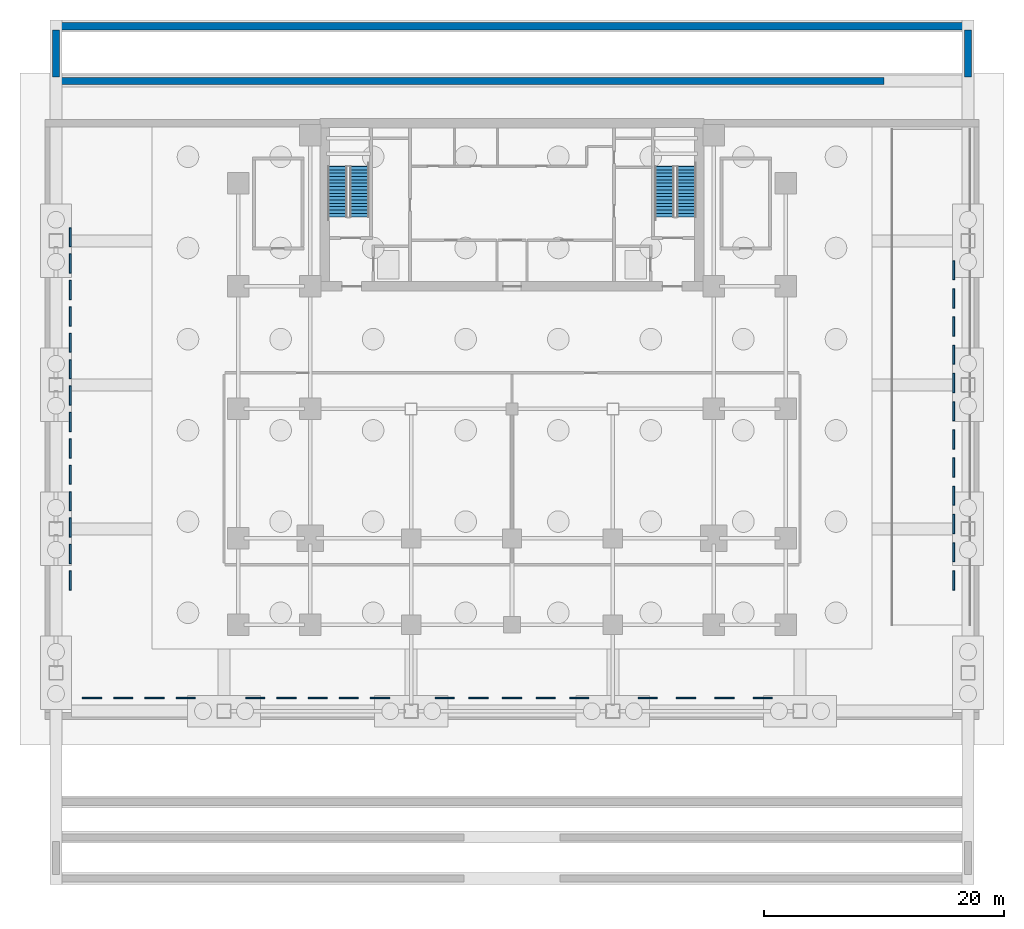
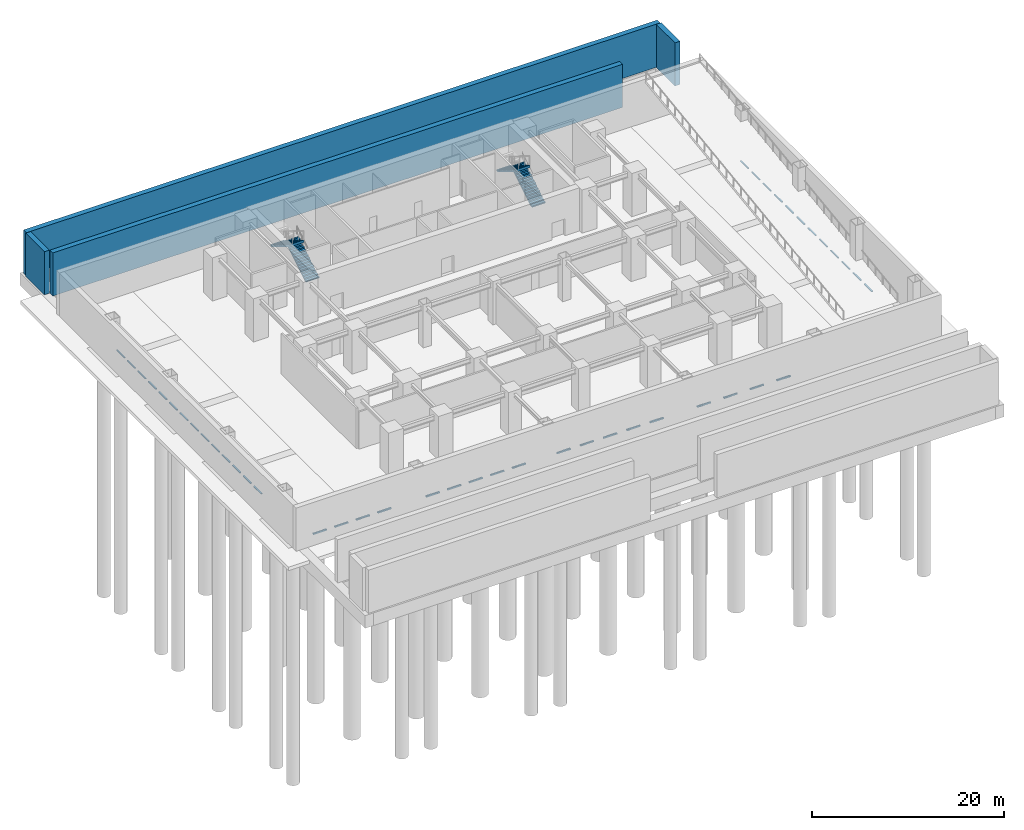
# One storey, part 6 of 9: 44 discrete accessories, 4 stair flights, 4 walls, 2 elements without a shape of their own.
"""IFC4 building model written with IfcOpenShell, lengths in metres."""

from ifc_helpers import new_model, si_unit, direction, frame, frame_2d, origin, origin_2d, place, context, subcontext, project, spatial, polyline, rectangle, outline, extrude, source, transform, mapped, material, layer, layer_set, type_object, element, aggregate, save


model = new_model("IFC4")

# Units and contexts
model_context = context("Model", 3, precision=1e-05, world=origin(), true_north=direction((0.0, 1.0)))
body_context = subcontext(model_context, "Body", "Model", "MODEL_VIEW")
ifc_project = project(units=[si_unit("LENGTHUNIT", "METRE"), si_unit("AREAUNIT", "SQUARE_METRE"), si_unit("VOLUMEUNIT", "CUBIC_METRE"), si_unit("PLANEANGLEUNIT", "RADIAN"), si_unit("MASSUNIT", "GRAM", prefix="KILO")], contexts=[model_context])

# Site, building, storey
site_placement = place(None, origin())
site = spatial("IfcSite", under=ifc_project, at=site_placement, CompositionType="ELEMENT")
building_placement = place(site_placement, origin())
building = spatial("IfcBuilding", under=site, at=building_placement, Name="Sumidabori Civic Tower", CompositionType="ELEMENT")
storey_placement = place(building_placement, frame((0.0, 0.0, -11.0)))
storey = spatial("IfcBuildingStorey", under=building, at=storey_placement, Name="B2", CompositionType="ELEMENT", Elevation=-11.0)

# Walls
ifc_material_1 = material(Name="Concrete C50/60", Category="concrete")
ifc_layer_1 = layer(ifc_material_1, 0.60009765625, Name="Concrete C50/60")
ifc_layer_set_1 = layer_set([ifc_layer_1], Name="Concrete C50/60")
wall_type_1 = type_object("IfcWallType", Name="WL-RET-600", PredefinedType="SHEAR", material=ifc_layer_set_1)
shared_shape_1 = source(origin(), body_context, "Body", "SweptSolid", [
    extrude(rectangle(XDim=76.39990234375, YDim=0.60009765625, at=frame_2d((38.199951171875, 0.0))), origin(), (0.0, 0.0, 1.0), 5.5),
])
wall_1_placement = place(storey_placement, frame((-38.199951171875, 31.8798828125, 0.0), z_axis=(0.0, 0.0, 1.0), x_axis=(1.0, 0.0, 0.0)))
element("IfcWall", 1, at=wall_1_placement, inside=storey, type_object=wall_type_1, Name="Substructure Perimeter Bearing Wall B2 APR-N", PredefinedType="SHEAR", context=body_context, shape_type="MappedRepresentation", body=[
    mapped(shared_shape_1, transform((0.0, 0.0, 0.0), x_axis=(1.0, 0.0, 0.0), y_axis=(0.0, 1.0, 0.0), z_axis=(0.0, 0.0, 1.0), scale=1.0)),
])
ifc_layer_2 = layer(ifc_material_1, 0.60009765625, Name="Concrete C50/60")
ifc_layer_set_2 = layer_set([ifc_layer_2], Name="Concrete C50/60")
wall_type_2 = type_object("IfcWallType", Name="WL-SUB-600", PredefinedType="SHEAR", material=ifc_layer_set_2)
shared_shape_2 = source(origin(), body_context, "Body", "SweptSolid", [
    extrude(rectangle(XDim=68.64990234375, YDim=0.60009765625, at=frame_2d((34.324951171875, 0.0))), origin(), (0.0, 0.0, 1.0), 5.5),
])
wall_2_placement = place(storey_placement, frame((-37.64990234375, 27.320068359375, 0.0), z_axis=(0.0, 0.0, 1.0), x_axis=(1.0, 0.0, 0.0)))
element("IfcWall", 2, at=wall_2_placement, inside=storey, type_object=wall_type_2, Name="Substructure Perimeter Bearing Wall B2 APR-S", PredefinedType="SHEAR", context=body_context, shape_type="MappedRepresentation", body=[
    mapped(shared_shape_2, transform((0.0, 0.0, 0.0), x_axis=(1.0, 0.0, 0.0), y_axis=(0.0, 1.0, 0.0), z_axis=(0.0, 0.0, 1.0), scale=1.0)),
])
shared_shape_3 = source(origin(), body_context, "Body", "SweptSolid", [
    extrude(rectangle(XDim=3.900146484375, YDim=0.60009765625, at=frame_2d((1.9501953125, 0.0))), origin(), (0.0, 0.0, 1.0), 5.5),
])
for number, where, z_axis, x_axis, name in (
    (3, (-38.0, 27.64990234375, 0.0), (0.0, 0.0, 1.0), (0.0, 1.0, 0.0), "Substructure Perimeter Bearing Wall B2 APR-W"),
    (4, (38.0, 27.64990234375, 0.0), (0.0, 0.0, 1.0), (0.0, 1.0, 0.0), "Substructure Perimeter Bearing Wall B2 APR-E"),
):
    element("IfcWall", number, at=place(storey_placement, frame(where, z_axis=z_axis, x_axis=x_axis)), inside=storey, type_object=wall_type_1, Name=name, PredefinedType="SHEAR", context=body_context, shape_type="MappedRepresentation", body=[
        mapped(shared_shape_3, transform((0.0, 0.0, 0.0), x_axis=(1.0, 0.0, 0.0), y_axis=(0.0, 1.0, 0.0), z_axis=(0.0, 0.0, 1.0), scale=1.0)),
    ])

# Stair, stair flights
ifc_material_2 = material(Name="Concrete C40/50", Category="concrete")
stair_type = type_object("IfcStairType", Name="ST-CORE-1600", PredefinedType="HALF_TURN_STAIR", material=ifc_material_2)
stair_1_placement = place(storey_placement, origin())
stair_1 = element("IfcStair", 5, at=stair_1_placement, inside=storey, type_object=stair_type, Name="B2 ST-1", PredefinedType="HALF_TURN_STAIR")
stair_flight_type = type_object("IfcStairFlightType", Name="SF-CORE-1600", PredefinedType="STRAIGHT", material=ifc_material_2)
shared_shape_4 = source(origin(), body_context, "Body", "SweptSolid", [
    extrude(outline(polyline([(-0.02490234375, 0.0), (-0.02490234375, 0.0400390625), (0.0, 0.0400390625), (0.0, 0.171875), (0.280029296875, 0.171875), (0.280029296875, 0.34375), (0.56005859375, 0.34375), (0.56005859375, 0.515625), (0.840087890625, 0.515625), (0.840087890625, 0.6875), (1.1201171875, 0.6875), (1.1201171875, 0.859375), (1.39990234375, 0.859375), (1.39990234375, 1.03125), (1.679931640625, 1.03125), (1.679931640625, 1.203125), (1.9599609375, 1.203125), (1.9599609375, 1.375), (2.239990234375, 1.375), (2.239990234375, 1.546875), (2.52001953125, 1.546875), (2.52001953125, 1.71875), (2.800048828125, 1.71875), (2.800048828125, 1.890625), (3.080078125, 1.890625), (3.080078125, 2.0625), (3.360107421875, 2.0625), (3.360107421875, 2.234375), (3.639892578125, 2.234375), (3.639892578125, 2.40625), (3.919921875, 2.40625), (3.919921875, 2.578125), (4.199951171875, 2.578125), (4.199951171875, 2.75), (4.22509765625, 2.75), (4.22509765625, 2.60009765625), (4.199951171875, 2.40234375), (0.28662109375, 0.0), (-0.02490234375, 0.0)])), frame((0.0, 0.800048828125, 0.0), z_axis=(0.0, -1.0, 0.0), x_axis=(1.0, 0.0, 0.0)), (0.0, 0.0, 1.0), 1.60009765625),
])
stair_flight_1_placement = place(storey_placement, frame((-12.699951171875, 16.0, 0.0), z_axis=(0.0, 0.0, 1.0), x_axis=(0.0, 1.0, 0.0)))
stair_flight_1 = element("IfcStairFlight", 6, at=stair_flight_1_placement, type_object=stair_flight_type, Name="ST-1 flight 1", NumberOfRisers=16, NumberOfTreads=15, PredefinedType="STRAIGHT", RiserHeight=0.171875, TreadLength=0.28, context=body_context, shape_type="MappedRepresentation", body=[
    mapped(shared_shape_4, transform((0.0, 0.0, 0.0), x_axis=(1.0, 0.0, 0.0), y_axis=(0.0, 1.0, 0.0), z_axis=(0.0, 0.0, 1.0), scale=1.0)),
])
stair_flight_2_placement = place(storey_placement, frame((-14.5400390625, 20.199951171875, 2.75), z_axis=(0.0, 0.0, 1.0), x_axis=(0.0, -1.0, 0.0)))
stair_flight_2 = element("IfcStairFlight", 7, at=stair_flight_2_placement, type_object=stair_flight_type, Name="ST-1 flight 2", NumberOfRisers=16, NumberOfTreads=15, PredefinedType="STRAIGHT", RiserHeight=0.171875, TreadLength=0.28, context=body_context, shape_type="MappedRepresentation", body=[
    mapped(shared_shape_4, transform((0.0, 0.0, 0.0), x_axis=(1.0, 0.0, 0.0), y_axis=(0.0, 1.0, 0.0), z_axis=(0.0, 0.0, 1.0), scale=1.0)),
])
aggregate(stair_1, [stair_flight_1, stair_flight_2])

stair_2_placement = place(storey_placement, origin())
stair_2 = element("IfcStair", 8, at=stair_2_placement, inside=storey, type_object=stair_type, Name="B2 ST-2", PredefinedType="HALF_TURN_STAIR")
stair_flight_3_placement = place(storey_placement, frame((14.5400390625, 16.0, 0.0), z_axis=(0.0, 0.0, 1.0), x_axis=(0.0, 1.0, 0.0)))
stair_flight_3 = element("IfcStairFlight", 9, at=stair_flight_3_placement, type_object=stair_flight_type, Name="ST-2 flight 1", NumberOfRisers=16, NumberOfTreads=15, PredefinedType="STRAIGHT", RiserHeight=0.171875, TreadLength=0.28, context=body_context, shape_type="MappedRepresentation", body=[
    mapped(shared_shape_4, transform((0.0, 0.0, 0.0), x_axis=(1.0, 0.0, 0.0), y_axis=(0.0, 1.0, 0.0), z_axis=(0.0, 0.0, 1.0), scale=1.0)),
])
stair_flight_4_placement = place(storey_placement, frame((12.699951171875, 20.199951171875, 2.75), z_axis=(0.0, 0.0, 1.0), x_axis=(0.0, -1.0, 0.0)))
stair_flight_4 = element("IfcStairFlight", 10, at=stair_flight_4_placement, type_object=stair_flight_type, Name="ST-2 flight 2", NumberOfRisers=16, NumberOfTreads=15, PredefinedType="STRAIGHT", RiserHeight=0.171875, TreadLength=0.28, context=body_context, shape_type="MappedRepresentation", body=[
    mapped(shared_shape_4, transform((0.0, 0.0, 0.0), x_axis=(1.0, 0.0, 0.0), y_axis=(0.0, 1.0, 0.0), z_axis=(0.0, 0.0, 1.0), scale=1.0)),
])
aggregate(stair_2, [stair_flight_3, stair_flight_4])

# Discrete accessories
ifc_material_3 = material(Name="Precast concrete C40/50", Category="concrete")
discrete_accessory_type = type_object("IfcDiscreteAccessoryType", Name="AC-WHL-180", PredefinedType="USERDEFINED", material=ifc_material_3)
shared_shape_5 = source(origin(), body_context, "Body", "SweptSolid", [
    extrude(rectangle(XDim=0.159912109375, YDim=1.60009765625, at=origin_2d()), origin(), (0.0, 0.0, 1.0), 0.1201171875),
])
for number, where, z_axis, x_axis, name in (
    (11, (-36.800048828125, -14.300048828125, 0.0), (0.0, 0.0, 1.0), (1.0, 0.0, 0.0), "Standard Parking Bay Wheel Stop W01"),
    (12, (-36.800048828125, -12.10009765625, 0.0), (0.0, 0.0, 1.0), (1.0, 0.0, 0.0), "Standard Parking Bay Wheel Stop W02"),
    (13, (-36.800048828125, -9.89990234375, 0.0), (0.0, 0.0, 1.0), (1.0, 0.0, 0.0), "Standard Parking Bay Wheel Stop W03"),
    (14, (-36.800048828125, -7.699951171875, 0.0), (0.0, 0.0, 1.0), (1.0, 0.0, 0.0), "Standard Parking Bay Wheel Stop W04"),
    (15, (-36.800048828125, -5.5, 0.0), (0.0, 0.0, 1.0), (1.0, 0.0, 0.0), "Standard Parking Bay Wheel Stop W05"),
    (16, (-36.800048828125, -3.300048828125, 0.0), (0.0, 0.0, 1.0), (1.0, 0.0, 0.0), "Standard Parking Bay Wheel Stop W06"),
    (17, (-36.800048828125, -1.10009765625, 0.0), (0.0, 0.0, 1.0), (1.0, 0.0, 0.0), "Standard Parking Bay Wheel Stop W07"),
    (18, (-36.800048828125, 1.10009765625, 0.0), (0.0, 0.0, 1.0), (1.0, 0.0, 0.0), "Standard Parking Bay Wheel Stop W08"),
    (19, (-36.800048828125, 3.300048828125, 0.0), (0.0, 0.0, 1.0), (1.0, 0.0, 0.0), "Standard Parking Bay Wheel Stop W09"),
    (20, (-36.800048828125, 5.5, 0.0), (0.0, 0.0, 1.0), (1.0, 0.0, 0.0), "Standard Parking Bay Wheel Stop W10"),
    (21, (-36.800048828125, 7.699951171875, 0.0), (0.0, 0.0, 1.0), (1.0, 0.0, 0.0), "Standard Parking Bay Wheel Stop W11"),
    (22, (-36.800048828125, 9.89990234375, 0.0), (0.0, 0.0, 1.0), (1.0, 0.0, 0.0), "Standard Parking Bay Wheel Stop W12"),
    (23, (-36.800048828125, 12.10009765625, 0.0), (0.0, 0.0, 1.0), (1.0, 0.0, 0.0), "Standard Parking Bay Wheel Stop W13"),
    (24, (-36.800048828125, 14.300048828125, 0.0), (0.0, 0.0, 1.0), (1.0, 0.0, 0.0), "Standard Parking Bay Wheel Stop W14"),
    (25, (36.800048828125, -14.300048828125, 0.0), (0.0, 0.0, 1.0), (1.0, 0.0, 0.0), "Standard Parking Bay Wheel Stop E01"),
    (26, (36.800048828125, -11.949951171875, 0.0), (0.0, 0.0, 1.0), (1.0, 0.0, 0.0), "Standard Parking Bay Wheel Stop E02"),
    (27, (36.800048828125, -9.60009765625, 0.0), (0.0, 0.0, 1.0), (1.0, 0.0, 0.0), "Standard Parking Bay Wheel Stop E03"),
    (28, (36.800048828125, -7.25, 0.0), (0.0, 0.0, 1.0), (1.0, 0.0, 0.0), "Standard Parking Bay Wheel Stop E04"),
    (29, (36.800048828125, -4.89990234375, 0.0), (0.0, 0.0, 1.0), (1.0, 0.0, 0.0), "Standard Parking Bay Wheel Stop E05"),
    (30, (36.800048828125, -2.550048828125, 0.0), (0.0, 0.0, 1.0), (1.0, 0.0, 0.0), "Standard Parking Bay Wheel Stop E06"),
    (31, (36.800048828125, -0.199951171875, 0.0), (0.0, 0.0, 1.0), (1.0, 0.0, 0.0), "Standard Parking Bay Wheel Stop E07"),
    (32, (36.800048828125, 2.14990234375, 0.0), (0.0, 0.0, 1.0), (1.0, 0.0, 0.0), "Standard Parking Bay Wheel Stop E08"),
    (33, (36.800048828125, 4.5, 0.0), (0.0, 0.0, 1.0), (1.0, 0.0, 0.0), "Standard Parking Bay Wheel Stop E09"),
    (34, (36.800048828125, 6.85009765625, 0.0), (0.0, 0.0, 1.0), (1.0, 0.0, 0.0), "Standard Parking Bay Wheel Stop E10"),
    (35, (36.800048828125, 9.199951171875, 0.0), (0.0, 0.0, 1.0), (1.0, 0.0, 0.0), "Standard Parking Bay Wheel Stop E11"),
    (36, (36.800048828125, 11.550048828125, 0.0), (0.0, 0.0, 1.0), (1.0, 0.0, 0.0), "Standard Parking Bay Wheel Stop E12"),
):
    element("IfcDiscreteAccessory", number, at=place(storey_placement, frame(where, z_axis=z_axis, x_axis=x_axis)), inside=storey, type_object=discrete_accessory_type, Name=name, ObjectType="WHEEL STOP", PredefinedType="USERDEFINED", context=body_context, shape_type="MappedRepresentation", body=[
        mapped(shared_shape_5, transform((0.0, 0.0, 0.0), x_axis=(1.0, 0.0, 0.0), y_axis=(0.0, 1.0, 0.0), z_axis=(0.0, 0.0, 1.0), scale=1.0)),
    ])
shared_shape_6 = source(origin(), body_context, "Body", "SweptSolid", [
    extrude(rectangle(XDim=1.60009765625, YDim=0.159912109375, at=origin_2d()), origin(), (0.0, 0.0, 1.0), 0.1201171875),
])
for number, where, z_axis, x_axis, name in (
    (37, (-35.0, -24.10009765625, 0.0), (0.0, 0.0, 1.0), (1.0, 0.0, 0.0), "Standard Parking Bay Wheel Stop S01"),
    (38, (-32.39990234375, -24.10009765625, 0.0), (0.0, 0.0, 1.0), (1.0, 0.0, 0.0), "Standard Parking Bay Wheel Stop S02"),
    (39, (-29.800048828125, -24.10009765625, 0.0), (0.0, 0.0, 1.0), (1.0, 0.0, 0.0), "Standard Parking Bay Wheel Stop S03"),
    (40, (-27.199951171875, -24.10009765625, 0.0), (0.0, 0.0, 1.0), (1.0, 0.0, 0.0), "Standard Parking Bay Wheel Stop S04"),
    (41, (-21.39990234375, -24.10009765625, 0.0), (0.0, 0.0, 1.0), (1.0, 0.0, 0.0), "Standard Parking Bay Wheel Stop S05"),
    (42, (-18.800048828125, -24.10009765625, 0.0), (0.0, 0.0, 1.0), (1.0, 0.0, 0.0), "Standard Parking Bay Wheel Stop S06"),
    (43, (-16.199951171875, -24.10009765625, 0.0), (0.0, 0.0, 1.0), (1.0, 0.0, 0.0), "Standard Parking Bay Wheel Stop S07"),
    (44, (-13.60009765625, -24.10009765625, 0.0), (0.0, 0.0, 1.0), (1.0, 0.0, 0.0), "Standard Parking Bay Wheel Stop S08"),
    (45, (-11.0, -24.10009765625, 0.0), (0.0, 0.0, 1.0), (1.0, 0.0, 0.0), "Standard Parking Bay Wheel Stop S09"),
    (46, (-5.60009765625, -24.10009765625, 0.0), (0.0, 0.0, 1.0), (1.0, 0.0, 0.0), "Standard Parking Bay Wheel Stop S10"),
    (47, (-2.800048828125, -24.10009765625, 0.0), (0.0, 0.0, 1.0), (1.0, 0.0, 0.0), "Standard Parking Bay Wheel Stop S11"),
    (48, (0.0, -24.10009765625, 0.0), (0.0, 0.0, 1.0), (1.0, 0.0, 0.0), "Standard Parking Bay Wheel Stop S12"),
    (49, (2.800048828125, -24.10009765625, 0.0), (0.0, 0.0, 1.0), (1.0, 0.0, 0.0), "Standard Parking Bay Wheel Stop S13"),
    (50, (5.60009765625, -24.10009765625, 0.0), (0.0, 0.0, 1.0), (1.0, 0.0, 0.0), "Standard Parking Bay Wheel Stop S14"),
    (51, (11.300048828125, -24.10009765625, 0.0), (0.0, 0.0, 1.0), (1.0, 0.0, 0.0), "Accessible Parking Bay Wheel Stop A01"),
    (52, (14.5, -24.10009765625, 0.0), (0.0, 0.0, 1.0), (1.0, 0.0, 0.0), "Accessible Parking Bay Wheel Stop A02"),
    (53, (17.699951171875, -24.10009765625, 0.0), (0.0, 0.0, 1.0), (1.0, 0.0, 0.0), "Accessible Parking Bay Wheel Stop A03"),
    (54, (20.89990234375, -24.10009765625, 0.0), (0.0, 0.0, 1.0), (1.0, 0.0, 0.0), "Accessible Parking Bay Wheel Stop A04"),
):
    element("IfcDiscreteAccessory", number, at=place(storey_placement, frame(where, z_axis=z_axis, x_axis=x_axis)), inside=storey, type_object=discrete_accessory_type, Name=name, ObjectType="WHEEL STOP", PredefinedType="USERDEFINED", context=body_context, shape_type="MappedRepresentation", body=[
        mapped(shared_shape_6, transform((0.0, 0.0, 0.0), x_axis=(1.0, 0.0, 0.0), y_axis=(0.0, 1.0, 0.0), z_axis=(0.0, 0.0, 1.0), scale=1.0)),
    ])

save(model, "model.ifc")
